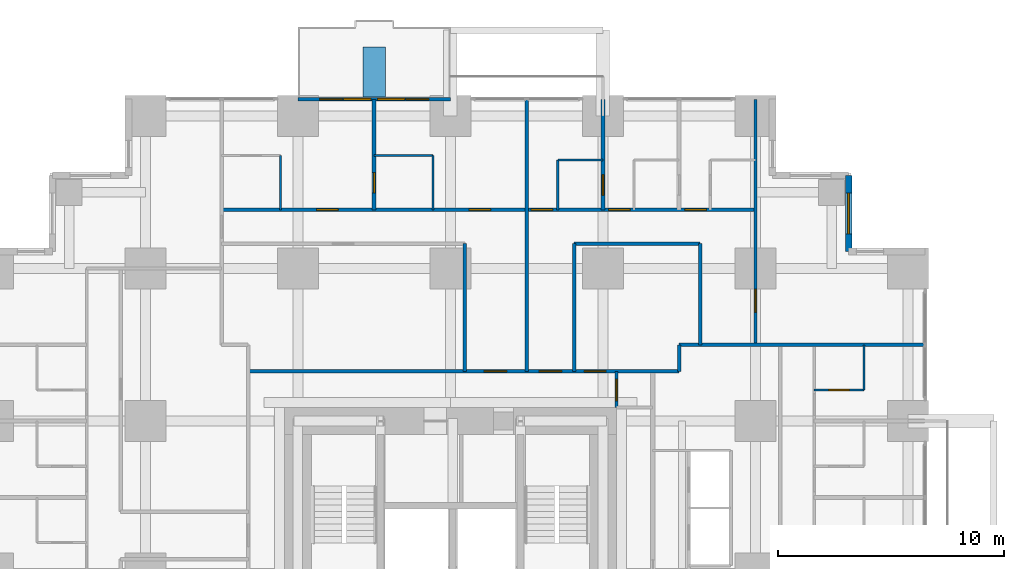
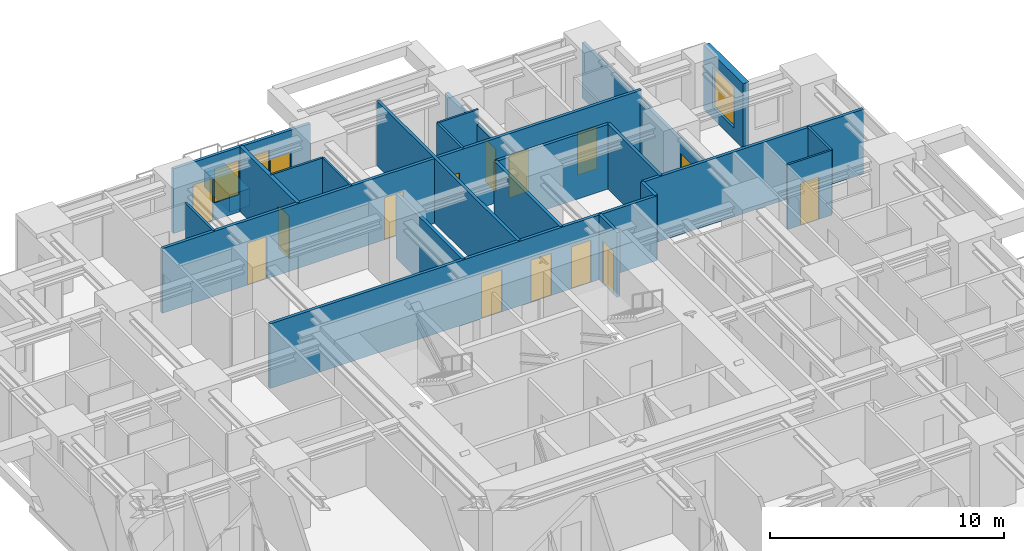
# One storey, part 13 of 15: 23 walls, 15 doors, 3 windows, 18 openings.
"""IFC4 building model written with IfcOpenShell, lengths in metres."""

import ifcopenshell
import ifcopenshell.guid

model = None  # the IFC model being written
_history = None  # IfcOwnerHistory: only IFC2X3 demands one
_inside = {}  # id of a spatial element -> (the spatial element, [elements in it])
_under = {}  # id of a project, library or spatial element -> (it, [spatial elements below it])
_declared = {}  # id of a project -> (the project, [libraries it declares])
_typed = {}  # id of a type object -> (the type object, [elements of that type])
_made_of = {}  # id of a material, layer set ... -> (it, [elements and type objects made of it])


def new_model(schema):
    """Start an empty IFC model of exactly this schema.

    Asked for "IFC4X3", IfcOpenShell would pick the latest addendum, in which some entities
    have other attributes; the version numbers below select the first issue.
    IFC2X3 requires an IfcOwnerHistory on every rooted entity: one is made here for all.
    """
    global model, _history
    if schema == "IFC4X3":
        model = ifcopenshell.file(schema_version=(4, 3, 0, 0))
    else:
        model = ifcopenshell.file(schema=schema)
    _inside.clear()
    _under.clear()
    _declared.clear()
    _typed.clear()
    _made_of.clear()
    _history = None
    if model.schema == "IFC2X3":
        org = make("IfcOrganization", Name="unknown")
        user = make(
            "IfcPersonAndOrganization",
            ThePerson=make("IfcPerson", FamilyName="unknown"),
            TheOrganization=org,
        )
        app = make(
            "IfcApplication",
            ApplicationDeveloper=org,
            Version="unknown",
            ApplicationFullName="unknown",
            ApplicationIdentifier="unknown",
        )
        _history = make(
            "IfcOwnerHistory",
            OwningUser=user,
            OwningApplication=app,
            ChangeAction="ADDED",
            CreationDate=0,
        )
    return model


def make(cls, **values):
    """One entity of the class cls with the attributes given. An attribute that is None is left unset."""
    return model.create_entity(
        cls, **{name: value for name, value in values.items() if value is not None}
    )


def rooted(cls, **values):
    """An entity with a GlobalId (a new one), such as an element, a storey or a relation."""
    return make(cls, GlobalId=ifcopenshell.guid.new(), OwnerHistory=_history, **values)


def si_unit(unit_type, name, prefix=None):
    """IfcSIUnit, for example si_unit("LENGTHUNIT", "METRE", prefix="MILLI")."""
    return make("IfcSIUnit", UnitType=unit_type, Prefix=prefix, Name=name)


def assignment(units):
    """IfcUnitAssignment: the units of a project."""
    return None if units is None else make("IfcUnitAssignment", Units=units)


def point(xyz):
    """IfcCartesianPoint."""
    return None if xyz is None else make("IfcCartesianPoint", Coordinates=xyz)


def direction(xyz):
    """IfcDirection."""
    return None if xyz is None else make("IfcDirection", DirectionRatios=xyz)


def frame(location, z_axis=None, x_axis=None):
    """IfcAxis2Placement3D, a coordinate frame: its origin and axes. An axis left out is left unset."""
    return make(
        "IfcAxis2Placement3D",
        Location=point(location),
        Axis=direction(z_axis),
        RefDirection=direction(x_axis),
    )


def frame_2d(location, x_axis=None):
    """IfcAxis2Placement2D, a coordinate frame in the plane: its origin and x axis."""
    return make(
        "IfcAxis2Placement2D", Location=point(location), RefDirection=direction(x_axis)
    )


def origin():
    """The frame at (0, 0, 0) with its axes left unset."""
    return frame((0.0, 0.0, 0.0))


def place(relative_to, where):
    """IfcLocalPlacement: puts the frame where relative to a parent placement (None: the world)."""
    return make(
        "IfcLocalPlacement", PlacementRelTo=relative_to, RelativePlacement=where
    )


def context(
    kind, dimensions, precision=None, world=None, true_north=None, identifier=None
):
    """IfcGeometricRepresentationContext, for example the 3D "Model" context."""
    return make(
        "IfcGeometricRepresentationContext",
        ContextIdentifier=identifier,
        ContextType=kind,
        CoordinateSpaceDimension=dimensions,
        Precision=precision,
        WorldCoordinateSystem=world,
        TrueNorth=true_north,
    )


def subcontext(parent, identifier, kind, view, scale=None):
    """IfcGeometricRepresentationSubContext, for example "Body" below "Model"."""
    return make(
        "IfcGeometricRepresentationSubContext",
        ContextIdentifier=identifier,
        ContextType=kind,
        ParentContext=parent,
        TargetScale=scale,
        TargetView=view,
    )


def project(units=None, contexts=None):
    """IfcProject with its units and contexts."""
    return rooted(
        "IfcProject",
        Name="project",
        RepresentationContexts=contexts,
        UnitsInContext=assignment(units),
    )


def spatial(cls, under=None, at=None, **own):
    """A site, building, storey or space (cls), placed at a placement, below another one or the project."""
    s = rooted(cls, ObjectPlacement=at, **own)
    if under is not None:
        _under.setdefault(under.id(), (under, []))[1].append(s)
    return s


def profile(cls, at=None, kind="AREA", **sizes):
    """A parametric profile (cls). Its sizes go by their IFC names, for example OverallWidth=200.0."""
    return make(cls, ProfileType=kind, Position=at, **sizes)


def rectangle(**sizes):
    """IfcRectangleProfileDef."""
    return profile("IfcRectangleProfileDef", **sizes)


def extrude(swept, where, along, depth):
    """IfcExtrudedAreaSolid: the profile swept, set in the frame where, extruded along a direction by depth."""
    return make(
        "IfcExtrudedAreaSolid",
        SweptArea=swept,
        Position=where,
        ExtrudedDirection=direction(along),
        Depth=depth,
    )


def shape(context_of_items, identifier, shape_type, items):
    """IfcShapeRepresentation: the items that make up one representation, for example the "Body"."""
    return make(
        "IfcShapeRepresentation",
        ContextOfItems=context_of_items,
        RepresentationIdentifier=identifier,
        RepresentationType=shape_type,
        Items=items,
    )


def material(Name=None, Category=None):
    """IfcMaterial."""
    return make("IfcMaterial", Name=Name, Category=Category)


def layer(
    of_material, thickness, ventilated=None, Name=None, Category=None, Priority=None
):
    """IfcMaterialLayer: one layer of a wall or slab, of a material (None: an air gap)."""
    return make(
        "IfcMaterialLayer",
        Material=of_material,
        LayerThickness=thickness,
        IsVentilated=ventilated,
        Name=Name,
        Category=Category,
        Priority=Priority,
    )


def layer_set(layers, Name=None):
    """IfcMaterialLayerSet."""
    return make("IfcMaterialLayerSet", MaterialLayers=layers, LayerSetName=Name)


def made_of(thing, what):
    """Note that an element or type object is made of a material, layer set ...; save() writes the relation."""
    if what is not None:
        _made_of.setdefault(what.id(), (what, []))[1].append(thing)
    return thing


def type_object(cls, material=None, **own):
    """A type object (cls), such as IfcWallType, which elements share."""
    return made_of(rooted(cls, **own), material)


def element(
    cls,
    number,
    at=None,
    inside=None,
    cuts=None,
    type_object=None,
    material=None,
    context=None,
    identifier="Body",
    shape_type=None,
    held_by="IfcProductDefinitionShape",
    body=None,
    shapes=None,
    **own,
):
    """One element of the class cls, such as IfcWall. Its Tag is "e" and its number.

    at: its placement. inside: the storey or other place that contains it. cuts: it is an
    opening in that element (IfcRelVoidsElement). A single representation is given by context,
    identifier, shape_type and body (its items); several are given by shapes. held_by: the class
    of the entity that holds the representations. save() writes the other relations.
    """
    e = rooted(cls, Tag="e%d" % number, ObjectPlacement=at, **own)
    if body is not None:
        shapes = [shape(context, identifier, shape_type, body)]
    if shapes is not None:
        e.Representation = make(held_by, Representations=shapes)
    if inside is not None:
        _inside.setdefault(inside.id(), (inside, []))[1].append(e)
    if cuts is not None:
        rooted(
            "IfcRelVoidsElement", RelatingBuildingElement=cuts, RelatedOpeningElement=e
        )
    if type_object is not None:
        _typed.setdefault(type_object.id(), (type_object, []))[1].append(e)
    return made_of(e, material)


def fill(opening, filler):
    """IfcRelFillsElement: the door or window that sits in an opening."""
    return rooted(
        "IfcRelFillsElement",
        RelatingOpeningElement=opening,
        RelatedBuildingElement=filler,
    )


def aggregate(whole, parts):
    """IfcRelAggregates: a whole, such as a stair, and the parts it consists of."""
    return rooted("IfcRelAggregates", RelatingObject=whole, RelatedObjects=parts)


def save(model, path):
    """Write the relations noted so far, then the file.

    IfcRelAggregates (storeys below a building ...), IfcRelContainedInSpatialStructure (elements
    in a storey), IfcRelDefinesByType, IfcRelAssociatesMaterial and IfcRelDeclares: one each for
    every whole, place, type object, material and project.
    """
    for whole, parts in _under.values():
        aggregate(whole, parts)
    for where, things in _inside.values():
        rooted(
            "IfcRelContainedInSpatialStructure",
            RelatedElements=things,
            RelatingStructure=where,
        )
    for kind, things in _typed.values():
        rooted("IfcRelDefinesByType", RelatedObjects=things, RelatingType=kind)
    for what, things in _made_of.values():
        rooted("IfcRelAssociatesMaterial", RelatedObjects=things, RelatingMaterial=what)
    for by, libraries in _declared.values():
        rooted("IfcRelDeclares", RelatingContext=by, RelatedDefinitions=libraries)
    model.write(path)


model = new_model("IFC4")

# Units and contexts
model_context = context("Model", 3, precision=1e-05, world=origin(), true_north=direction((0.0, 1.0)))
body_context = subcontext(model_context, "Body", "Model", "MODEL_VIEW")
ifc_project = project(units=[si_unit("LENGTHUNIT", "METRE"), si_unit("AREAUNIT", "SQUARE_METRE"), si_unit("VOLUMEUNIT", "CUBIC_METRE"), si_unit("PLANEANGLEUNIT", "RADIAN"), si_unit("MASSUNIT", "GRAM", prefix="KILO")], contexts=[model_context])

# Site, building, storey
site_placement = place(None, origin())
site = spatial("IfcSite", under=ifc_project, at=site_placement, CompositionType="ELEMENT")
building_placement = place(site_placement, origin())
building = spatial("IfcBuilding", under=site, at=building_placement, Name="Nyansa Garden Tower", CompositionType="ELEMENT")
storey_placement = place(building_placement, frame((0.0, 0.0, 61.199951171875)))
storey = spatial("IfcBuildingStorey", under=building, at=storey_placement, Name="L16", CompositionType="ELEMENT", Elevation=61.199951171875)

# Wall, opening, door
ifc_material_1 = material(Name="Dense blockwork, plastered both sides, 55 dB", Category="masonry")
ifc_layer_1 = layer(ifc_material_1, 0.175048828125)
ifc_layer_set_1 = layer_set([ifc_layer_1], Name="Acoustic party wall PW175")
wall_type_1 = type_object("IfcWallType", Name="Acoustic party wall PW175", PredefinedType="PARTITIONING", material=ifc_layer_set_1)
wall_1_placement = place(storey_placement, frame((16.875, 36.35009765625, 0.0), z_axis=(0.0, 0.0, 1.0), x_axis=(0.0, 1.0, 0.0)))
wall_1 = element("IfcWall", 1, at=wall_1_placement, inside=storey, type_object=wall_type_1, Name="Party wall", PredefinedType="PARTITIONING", context=body_context, shape_type="SweptSolid", body=[
    extrude(rectangle(XDim=4.8837890625, YDim=0.175048828125, at=frame_2d((2.44189453125, 0.0))), origin(), (0.0, 0.0, 1.0), 3.375),
])
opening_1_placement = place(wall_1_placement, frame((0.75, 0.0, 0.0)))
opening_1 = element("IfcOpeningElement", 2, at=opening_1_placement, cuts=wall_1, Name="Opening D02", PredefinedType="OPENING", context=body_context, shape_type="SweptSolid", body=[
    extrude(rectangle(XDim=0.89990234375, YDim=2.199951171875, at=frame_2d((0.449951171875, 1.10009765625))), frame((0.0, 0.097412109375, 0.0), z_axis=(0.0, -1.0, 0.0), x_axis=(1.0, 0.0, 0.0)), (0.0, 0.0, 1.0), 0.195068359375),
])
ifc_material_2 = material(Name="Timber flush door", Category="wood")
door_type_1 = type_object("IfcDoorType", Name="En-suite door D02 900x2200", OperationType="SINGLE_SWING_RIGHT", PredefinedType="DOOR", material=ifc_material_2)
door_1_placement = place(opening_1_placement, origin())
door_1 = element("IfcDoor", 3, at=door_1_placement, inside=storey, type_object=door_type_1, Name="Door L16-064", OperationType="SINGLE_SWING_RIGHT", OverallHeight=2.199951171875, OverallWidth=0.89990234375, PredefinedType="DOOR", context=body_context, shape_type="SweptSolid", body=[
    extrude(rectangle(XDim=0.89990234375, YDim=2.199951171875, at=frame_2d((0.449951171875, 1.10009765625))), frame((0.0, 0.02490234375, 0.0), z_axis=(0.0, -1.0, 0.0), x_axis=(1.0, 0.0, 0.0)), (0.0, 0.0, 1.0), 0.050048828125),
])
fill(opening_1, door_1)

wall_2_placement = place(storey_placement, frame((27.0, 36.35009765625, 0.0), z_axis=(0.0, 0.0, 1.0), x_axis=(0.0, 1.0, 0.0)))
wall_2 = element("IfcWall", 4, at=wall_2_placement, inside=storey, type_object=wall_type_1, Name="Party wall", PredefinedType="PARTITIONING", context=body_context, shape_type="SweptSolid", body=[
    extrude(rectangle(XDim=4.8837890625, YDim=0.175048828125, at=frame_2d((2.44189453125, 0.0))), origin(), (0.0, 0.0, 1.0), 2.610107421875),
])
opening_2_placement = place(wall_2_placement, frame((0.64990234375, 0.0, 0.0)))
opening_2 = element("IfcOpeningElement", 5, at=opening_2_placement, cuts=wall_2, Name="Opening D02", PredefinedType="OPENING", context=body_context, shape_type="SweptSolid", body=[
    extrude(rectangle(XDim=0.89990234375, YDim=2.199951171875, at=frame_2d((0.449951171875, 1.10009765625))), frame((0.0, 0.097412109375, 0.0), z_axis=(0.0, -1.0, 0.0), x_axis=(1.0, 0.0, 0.0)), (0.0, 0.0, 1.0), 0.195068359375),
])
door_2_placement = place(opening_2_placement, origin())
door_2 = element("IfcDoor", 6, at=door_2_placement, inside=storey, type_object=door_type_1, Name="Door L16-059", OperationType="SINGLE_SWING_RIGHT", OverallHeight=2.199951171875, OverallWidth=0.89990234375, PredefinedType="DOOR", context=body_context, shape_type="SweptSolid", body=[
    extrude(rectangle(XDim=0.89990234375, YDim=2.199951171875, at=frame_2d((0.449951171875, 1.10009765625))), frame((0.0, 0.02490234375, 0.0), z_axis=(0.0, -1.0, 0.0), x_axis=(1.0, 0.0, 0.0)), (0.0, 0.0, 1.0), 0.050048828125),
])
fill(opening_2, door_2)

# Wall, openings, doors, windows
ifc_material_3 = material(Name="Black aluminium framed glazed screen", Category="aluminium")
ifc_layer_2 = layer(ifc_material_3, 0.14990234375)
ifc_layer_set_2 = layer_set([ifc_layer_2], Name="Balcony screen wall BW150")
wall_type_2 = type_object("IfcWallType", Name="Balcony screen wall BW150", PredefinedType="SOLIDWALL", material=ifc_layer_set_2)
wall_3_placement = place(storey_placement, frame((13.5, 41.25, 0.0), z_axis=(0.0, 0.0, 1.0), x_axis=(1.0, 0.0, 0.0)))
wall_3 = element("IfcWall", 7, at=wall_3_placement, inside=storey, type_object=wall_type_2, Name="Glazed screen wall L16 N", PredefinedType="SOLIDWALL", context=body_context, shape_type="SweptSolid", body=[
    extrude(rectangle(XDim=6.75, YDim=0.14990234375, at=frame_2d((3.375, 0.0))), origin(), (0.0, 0.0, 1.0), 3.375),
])
opening_3_placement = place(wall_3_placement, frame((0.96240234375, 0.0, 0.0)))
opening_3 = element("IfcOpeningElement", 8, at=opening_3_placement, cuts=wall_3, Name="Opening D20", PredefinedType="OPENING", context=body_context, shape_type="SweptSolid", body=[
    extrude(rectangle(XDim=1.0, YDim=2.199951171875, at=frame_2d((0.5, 1.10009765625))), frame((0.0, 0.0849609375, 0.0), z_axis=(0.0, -1.0, 0.0), x_axis=(1.0, 0.0, 0.0)), (0.0, 0.0, 1.0), 0.169921875),
])
opening_4_placement = place(wall_3_placement, frame((2.02490234375, 0.0, 0.89990234375)))
opening_4 = element("IfcOpeningElement", 9, at=opening_4_placement, cuts=wall_3, Name="Opening W6", PredefinedType="OPENING", context=body_context, shape_type="SweptSolid", body=[
    extrude(rectangle(XDim=1.199951171875, YDim=1.800048828125, at=frame_2d((0.60009765625, 0.89990234375))), frame((0.0, 0.0849609375, 0.0), z_axis=(0.0, -1.0, 0.0), x_axis=(1.0, 0.0, 0.0)), (0.0, 0.0, 1.0), 0.169921875),
])
opening_5_placement = place(wall_3_placement, frame((4.78759765625, 0.0, 0.0)))
opening_5 = element("IfcOpeningElement", 10, at=opening_5_placement, cuts=wall_3, Name="Opening D20", PredefinedType="OPENING", context=body_context, shape_type="SweptSolid", body=[
    extrude(rectangle(XDim=1.0, YDim=2.199951171875, at=frame_2d((0.5, 1.10009765625))), frame((0.0, 0.0849609375, 0.0), z_axis=(0.0, -1.0, 0.0), x_axis=(1.0, 0.0, 0.0)), (0.0, 0.0, 1.0), 0.169921875),
])
opening_6_placement = place(wall_3_placement, frame((3.52490234375, 0.0, 0.89990234375)))
opening_6 = element("IfcOpeningElement", 11, at=opening_6_placement, cuts=wall_3, Name="Opening W6", PredefinedType="OPENING", context=body_context, shape_type="SweptSolid", body=[
    extrude(rectangle(XDim=1.199951171875, YDim=1.800048828125, at=frame_2d((0.60009765625, 0.89990234375))), frame((0.0, 0.0849609375, 0.0), z_axis=(0.0, -1.0, 0.0), x_axis=(1.0, 0.0, 0.0)), (0.0, 0.0, 1.0), 0.169921875),
])
ifc_material_4 = material(Name="Black aluminium framed glazed door", Category="aluminium")
door_type_2 = type_object("IfcDoorType", Name="Balcony door D20 1000x2200", OperationType="NOTDEFINED", PredefinedType="DOOR", material=ifc_material_4)
door_3_placement = place(opening_3_placement, origin())
door_3 = element("IfcDoor", 12, at=door_3_placement, inside=storey, type_object=door_type_2, Name="Balcony door L16", OperationType="SINGLE_SWING_LEFT", OverallHeight=2.199951171875, OverallWidth=1.0, PredefinedType="DOOR", context=body_context, shape_type="SweptSolid", body=[
    extrude(rectangle(XDim=1.0, YDim=2.199951171875, at=frame_2d((0.5, 1.10009765625))), frame((0.0, 0.02490234375, 0.0), z_axis=(0.0, -1.0, 0.0), x_axis=(1.0, 0.0, 0.0)), (0.0, 0.0, 1.0), 0.050048828125),
])
fill(opening_3, door_3)
door_4_placement = place(opening_5_placement, origin())
door_4 = element("IfcDoor", 13, at=door_4_placement, inside=storey, type_object=door_type_2, Name="Balcony door L16", OperationType="SINGLE_SWING_RIGHT", OverallHeight=2.199951171875, OverallWidth=1.0, PredefinedType="DOOR", context=body_context, shape_type="SweptSolid", body=[
    extrude(rectangle(XDim=1.0, YDim=2.199951171875, at=frame_2d((0.5, 1.10009765625))), frame((0.0, 0.02490234375, 0.0), z_axis=(0.0, -1.0, 0.0), x_axis=(1.0, 0.0, 0.0)), (0.0, 0.0, 1.0), 0.050048828125),
])
fill(opening_5, door_4)
ifc_material_5 = material(Name="Black aluminium frame, dark tinted double glazing", Category="aluminium")
window_type_1 = type_object("IfcWindowType", Name="Balcony window W6 1200x1800", PartitioningType="SINGLE_PANEL", PredefinedType="WINDOW", material=ifc_material_5)
window_1_placement = place(opening_4_placement, origin())
window_1 = element("IfcWindow", 14, at=window_1_placement, inside=storey, type_object=window_type_1, Name="Window L16", OverallHeight=1.800048828125, OverallWidth=1.199951171875, PartitioningType="SINGLE_PANEL", PredefinedType="WINDOW", context=body_context, shape_type="SweptSolid", body=[
    extrude(rectangle(XDim=1.199951171875, YDim=1.800048828125, at=frame_2d((0.60009765625, 0.89990234375))), frame((0.0, 0.030029296875, 0.0), z_axis=(0.0, -1.0, 0.0), x_axis=(1.0, 0.0, 0.0)), (0.0, 0.0, 1.0), 0.06005859375),
])
fill(opening_4, window_1)
window_2_placement = place(opening_6_placement, origin())
window_2 = element("IfcWindow", 15, at=window_2_placement, inside=storey, type_object=window_type_1, Name="Window L16", OverallHeight=1.800048828125, OverallWidth=1.199951171875, PartitioningType="SINGLE_PANEL", PredefinedType="WINDOW", context=body_context, shape_type="SweptSolid", body=[
    extrude(rectangle(XDim=1.199951171875, YDim=1.800048828125, at=frame_2d((0.60009765625, 0.89990234375))), frame((0.0, 0.030029296875, 0.0), z_axis=(0.0, -1.0, 0.0), x_axis=(1.0, 0.0, 0.0)), (0.0, 0.0, 1.0), 0.06005859375),
])
fill(opening_6, window_2)

# Wall, openings, doors
ifc_material_6 = material(Name="Blockwork, plastered both sides", Category="masonry")
ifc_layer_3 = layer(ifc_material_6, 0.14990234375)
ifc_layer_set_3 = layer_set([ifc_layer_3], Name="Partition PW150")
wall_type_3 = type_object("IfcWallType", Name="Partition PW150", PredefinedType="PARTITIONING", material=ifc_layer_set_3)
wall_4_placement = place(storey_placement, frame((10.125, 36.35009765625, 0.0), z_axis=(0.0, 0.0, 1.0), x_axis=(1.0, 0.0, 0.0)))
wall_4 = element("IfcWall", 16, at=wall_4_placement, inside=storey, type_object=wall_type_3, Name="Partition", PredefinedType="PARTITIONING", context=body_context, shape_type="SweptSolid", body=[
    extrude(rectangle(XDim=23.625, YDim=0.14990234375, at=frame_2d((11.8125, 0.0))), origin(), (0.0, 0.0, 1.0), 3.375),
])
opening_7_placement = place(wall_4_placement, frame((20.5, 0.0, 0.0)))
opening_7 = element("IfcOpeningElement", 17, at=opening_7_placement, cuts=wall_4, Name="Opening D01", PredefinedType="OPENING", context=body_context, shape_type="SweptSolid", body=[
    extrude(rectangle(XDim=0.949951171875, YDim=2.199951171875, at=frame_2d((0.47509765625, 1.10009765625))), frame((0.0, 0.0849609375, 0.0), z_axis=(0.0, -1.0, 0.0), x_axis=(1.0, 0.0, 0.0)), (0.0, 0.0, 1.0), 0.169921875),
])
opening_8_placement = place(wall_4_placement, frame((17.125, 0.0, 0.0)))
opening_8 = element("IfcOpeningElement", 18, at=opening_8_placement, cuts=wall_4, Name="Opening D01", PredefinedType="OPENING", context=body_context, shape_type="SweptSolid", body=[
    extrude(rectangle(XDim=0.949951171875, YDim=2.199951171875, at=frame_2d((0.47509765625, 1.10009765625))), frame((0.0, 0.0849609375, 0.0), z_axis=(0.0, -1.0, 0.0), x_axis=(1.0, 0.0, 0.0)), (0.0, 0.0, 1.0), 0.169921875),
])
opening_9_placement = place(wall_4_placement, frame((13.699951171875, 0.0, 0.0)))
opening_9 = element("IfcOpeningElement", 19, at=opening_9_placement, cuts=wall_4, Name="Opening D01", PredefinedType="OPENING", context=body_context, shape_type="SweptSolid", body=[
    extrude(rectangle(XDim=0.949951171875, YDim=2.199951171875, at=frame_2d((0.47509765625, 1.10009765625))), frame((0.0, 0.0849609375, 0.0), z_axis=(0.0, -1.0, 0.0), x_axis=(1.0, 0.0, 0.0)), (0.0, 0.0, 1.0), 0.169921875),
])
opening_10_placement = place(wall_4_placement, frame((4.199951171875, 0.0, 0.0)))
opening_10 = element("IfcOpeningElement", 20, at=opening_10_placement, cuts=wall_4, Name="Opening D14", PredefinedType="OPENING", context=body_context, shape_type="SweptSolid", body=[
    extrude(rectangle(XDim=0.949951171875, YDim=2.199951171875, at=frame_2d((0.47509765625, 1.10009765625))), frame((0.0, 0.0849609375, 0.0), z_axis=(0.0, -1.0, 0.0), x_axis=(1.0, 0.0, 0.0)), (0.0, 0.0, 1.0), 0.169921875),
])
opening_11_placement = place(wall_4_placement, frame((10.949951171875, 0.0, 0.0)))
opening_11 = element("IfcOpeningElement", 21, at=opening_11_placement, cuts=wall_4, Name="Opening D14", PredefinedType="OPENING", context=body_context, shape_type="SweptSolid", body=[
    extrude(rectangle(XDim=0.949951171875, YDim=2.199951171875, at=frame_2d((0.47509765625, 1.10009765625))), frame((0.0, 0.0849609375, 0.0), z_axis=(0.0, -1.0, 0.0), x_axis=(1.0, 0.0, 0.0)), (0.0, 0.0, 1.0), 0.169921875),
])
ifc_material_7 = material(Name="Timber flush door, 30 minute fire resisting", Category="wood")
door_type_3 = type_object("IfcDoorType", Name="Bedroom door D01 950x2200", OperationType="SINGLE_SWING_LEFT", PredefinedType="DOOR", material=ifc_material_7)
door_5_placement = place(opening_7_placement, origin())
door_5 = element("IfcDoor", 22, at=door_5_placement, inside=storey, type_object=door_type_3, Name="Door L16-054", OperationType="SINGLE_SWING_LEFT", OverallHeight=2.199951171875, OverallWidth=0.949951171875, PredefinedType="DOOR", context=body_context, shape_type="SweptSolid", body=[
    extrude(rectangle(XDim=0.949951171875, YDim=2.199951171875, at=frame_2d((0.47509765625, 1.10009765625))), frame((0.0, 0.02490234375, 0.0), z_axis=(0.0, -1.0, 0.0), x_axis=(1.0, 0.0, 0.0)), (0.0, 0.0, 1.0), 0.050048828125),
])
fill(opening_7, door_5)
door_6_placement = place(opening_8_placement, origin())
door_6 = element("IfcDoor", 23, at=door_6_placement, inside=storey, type_object=door_type_3, Name="Door L16-056", OperationType="SINGLE_SWING_LEFT", OverallHeight=2.199951171875, OverallWidth=0.949951171875, PredefinedType="DOOR", context=body_context, shape_type="SweptSolid", body=[
    extrude(rectangle(XDim=0.949951171875, YDim=2.199951171875, at=frame_2d((0.47509765625, 1.10009765625))), frame((0.0, 0.02490234375, 0.0), z_axis=(0.0, -1.0, 0.0), x_axis=(1.0, 0.0, 0.0)), (0.0, 0.0, 1.0), 0.050048828125),
])
fill(opening_8, door_6)
door_7_placement = place(opening_9_placement, origin())
door_7 = element("IfcDoor", 24, at=door_7_placement, inside=storey, type_object=door_type_3, Name="Door L16-058", OperationType="SINGLE_SWING_LEFT", OverallHeight=2.199951171875, OverallWidth=0.949951171875, PredefinedType="DOOR", context=body_context, shape_type="SweptSolid", body=[
    extrude(rectangle(XDim=0.949951171875, YDim=2.199951171875, at=frame_2d((0.47509765625, 1.10009765625))), frame((0.0, 0.02490234375, 0.0), z_axis=(0.0, -1.0, 0.0), x_axis=(1.0, 0.0, 0.0)), (0.0, 0.0, 1.0), 0.050048828125),
])
fill(opening_9, door_7)
ifc_material_8 = material(Name="Timber flush door, 60 minute fire resisting, self-closing", Category="wood")
door_type_4 = type_object("IfcDoorType", Name="Studio entrance door D14 950x2200", OperationType="SINGLE_SWING_LEFT", PredefinedType="DOOR", material=ifc_material_8)
door_8_placement = place(opening_10_placement, origin())
door_8 = element("IfcDoor", 25, at=door_8_placement, inside=storey, type_object=door_type_4, Name="Door L16-061", OperationType="SINGLE_SWING_LEFT", OverallHeight=2.199951171875, OverallWidth=0.949951171875, PredefinedType="DOOR", context=body_context, shape_type="SweptSolid", body=[
    extrude(rectangle(XDim=0.949951171875, YDim=2.199951171875, at=frame_2d((0.47509765625, 1.10009765625))), frame((0.0, 0.02490234375, 0.0), z_axis=(0.0, -1.0, 0.0), x_axis=(1.0, 0.0, 0.0)), (0.0, 0.0, 1.0), 0.050048828125),
])
fill(opening_10, door_8)
door_9_placement = place(opening_11_placement, origin())
door_9 = element("IfcDoor", 26, at=door_9_placement, inside=storey, type_object=door_type_4, Name="Door L16-063", OperationType="SINGLE_SWING_LEFT", OverallHeight=2.199951171875, OverallWidth=0.949951171875, PredefinedType="DOOR", context=body_context, shape_type="SweptSolid", body=[
    extrude(rectangle(XDim=0.949951171875, YDim=2.199951171875, at=frame_2d((0.47509765625, 1.10009765625))), frame((0.0, 0.02490234375, 0.0), z_axis=(0.0, -1.0, 0.0), x_axis=(1.0, 0.0, 0.0)), (0.0, 0.0, 1.0), 0.050048828125),
])
fill(opening_11, door_9)

wall_5_placement = place(storey_placement, frame((11.300048828125, 29.199951171875, 0.0), z_axis=(0.0, 0.0, 1.0), x_axis=(1.0, 0.0, 0.0)))
wall_5 = element("IfcWall", 27, at=wall_5_placement, inside=storey, type_object=wall_type_3, Name="Partition", PredefinedType="PARTITIONING", context=body_context, shape_type="SweptSolid", body=[
    extrude(rectangle(XDim=19.074951171875, YDim=0.14990234375, at=frame_2d((9.53759765625, 0.0))), origin(), (0.0, 0.0, 1.0), 3.375),
])
opening_12_placement = place(wall_5_placement, frame((12.875, 0.0, 0.0)))
opening_12 = element("IfcOpeningElement", 28, at=opening_12_placement, cuts=wall_5, Name="Opening D03", PredefinedType="OPENING", context=body_context, shape_type="SweptSolid", body=[
    extrude(rectangle(XDim=1.0, YDim=2.199951171875, at=frame_2d((0.5, 1.10009765625))), frame((0.0, 0.0849609375, 0.0), z_axis=(0.0, -1.0, 0.0), x_axis=(1.0, 0.0, 0.0)), (0.0, 0.0, 1.0), 0.169921875),
])
opening_13_placement = place(wall_5_placement, frame((10.4375, 0.0, 0.0)))
opening_13 = element("IfcOpeningElement", 29, at=opening_13_placement, cuts=wall_5, Name="Opening D03", PredefinedType="OPENING", context=body_context, shape_type="SweptSolid", body=[
    extrude(rectangle(XDim=1.0, YDim=2.199951171875, at=frame_2d((0.5, 1.10009765625))), frame((0.0, 0.0849609375, 0.0), z_axis=(0.0, -1.0, 0.0), x_axis=(1.0, 0.0, 0.0)), (0.0, 0.0, 1.0), 0.169921875),
])
opening_14_placement = place(wall_5_placement, frame((14.875, 0.0, 0.0)))
opening_14 = element("IfcOpeningElement", 30, at=opening_14_placement, cuts=wall_5, Name="Opening D01", PredefinedType="OPENING", context=body_context, shape_type="SweptSolid", body=[
    extrude(rectangle(XDim=0.949951171875, YDim=2.199951171875, at=frame_2d((0.47509765625, 1.10009765625))), frame((0.0, 0.0849609375, 0.0), z_axis=(0.0, -1.0, 0.0), x_axis=(1.0, 0.0, 0.0)), (0.0, 0.0, 1.0), 0.169921875),
])
door_10_placement = place(opening_14_placement, origin())
door_10 = element("IfcDoor", 31, at=door_10_placement, inside=storey, type_object=door_type_3, Name="Door L16-066", OperationType="SINGLE_SWING_LEFT", OverallHeight=2.199951171875, OverallWidth=0.949951171875, PredefinedType="DOOR", context=body_context, shape_type="SweptSolid", body=[
    extrude(rectangle(XDim=0.949951171875, YDim=2.199951171875, at=frame_2d((0.47509765625, 1.10009765625))), frame((0.0, 0.02490234375, 0.0), z_axis=(0.0, -1.0, 0.0), x_axis=(1.0, 0.0, 0.0)), (0.0, 0.0, 1.0), 0.050048828125),
])
fill(opening_14, door_10)
ifc_material_9 = material(Name="Timber flush door, 60 minute fire resisting", Category="wood")
door_type_5 = type_object("IfcDoorType", Name="Cluster entrance door D03 1000x2200", OperationType="SINGLE_SWING_LEFT", PredefinedType="DOOR", material=ifc_material_9)
door_11_placement = place(opening_12_placement, origin())
door_11 = element("IfcDoor", 32, at=door_11_placement, inside=storey, type_object=door_type_5, Name="Door L16-060", OperationType="SINGLE_SWING_LEFT", OverallHeight=2.199951171875, OverallWidth=1.0, PredefinedType="DOOR", context=body_context, shape_type="SweptSolid", body=[
    extrude(rectangle(XDim=1.0, YDim=2.199951171875, at=frame_2d((0.5, 1.10009765625))), frame((0.0, 0.02490234375, 0.0), z_axis=(0.0, -1.0, 0.0), x_axis=(1.0, 0.0, 0.0)), (0.0, 0.0, 1.0), 0.050048828125),
])
fill(opening_12, door_11)
door_12_placement = place(opening_13_placement, origin())
door_12 = element("IfcDoor", 33, at=door_12_placement, inside=storey, type_object=door_type_5, Name="Door L16-065", OperationType="SINGLE_SWING_LEFT", OverallHeight=2.199951171875, OverallWidth=1.0, PredefinedType="DOOR", context=body_context, shape_type="SweptSolid", body=[
    extrude(rectangle(XDim=1.0, YDim=2.199951171875, at=frame_2d((0.5, 1.10009765625))), frame((0.0, 0.02490234375, 0.0), z_axis=(0.0, -1.0, 0.0), x_axis=(1.0, 0.0, 0.0)), (0.0, 0.0, 1.0), 0.050048828125),
])
fill(opening_13, door_12)

# Walls
wall_6_placement = place(storey_placement, frame((20.886962890625, 29.199951171875, 0.0), z_axis=(0.0, 0.0, 1.0), x_axis=(0.0, 1.0, 0.0)))
element("IfcWall", 34, at=wall_6_placement, inside=storey, type_object=wall_type_3, Name="Partition", PredefinedType="PARTITIONING", context=body_context, shape_type="SweptSolid", body=[
    extrude(rectangle(XDim=5.650146484375, YDim=0.14990234375, at=frame_2d((2.8251953125, 0.0))), origin(), (0.0, 0.0, 1.0), 3.375),
])
wall_7_placement = place(storey_placement, frame((23.625, 29.199951171875, 0.0), z_axis=(0.0, 0.0, 1.0), x_axis=(0.0, 1.0, 0.0)))
element("IfcWall", 35, at=wall_7_placement, inside=storey, type_object=wall_type_3, Name="Partition", PredefinedType="PARTITIONING", context=body_context, shape_type="SweptSolid", body=[
    extrude(rectangle(XDim=12.033935546875, YDim=0.14990234375, at=frame_2d((6.01708984375, 0.0))), origin(), (0.0, 0.0, 1.0), 3.375),
])
wall_8_placement = place(storey_placement, frame((25.72509765625, 29.199951171875, 0.0), z_axis=(0.0, 0.0, 1.0), x_axis=(0.0, 1.0, 0.0)))
element("IfcWall", 36, at=wall_8_placement, inside=storey, type_object=wall_type_3, Name="Partition", PredefinedType="PARTITIONING", context=body_context, shape_type="SweptSolid", body=[
    extrude(rectangle(XDim=5.650146484375, YDim=0.14990234375, at=frame_2d((2.8251953125, 0.0))), origin(), (0.0, 0.0, 1.0), 3.375),
])
wall_9_placement = place(storey_placement, frame((25.72509765625, 34.85009765625, 0.0), z_axis=(0.0, 0.0, 1.0), x_axis=(1.0, 0.0, 0.0)))
element("IfcWall", 37, at=wall_9_placement, inside=storey, type_object=wall_type_3, Name="Partition", PredefinedType="PARTITIONING", context=body_context, shape_type="SweptSolid", body=[
    extrude(rectangle(XDim=5.574951171875, YDim=0.14990234375, at=frame_2d((2.78759765625, 0.0))), origin(), (0.0, 0.0, 1.0), 3.375),
])

# Wall, opening, door
wall_10_placement = place(storey_placement, frame((27.60009765625, 27.60009765625, 0.0), z_axis=(0.0, 0.0, 1.0), x_axis=(0.0, 1.0, 0.0)))
wall_10 = element("IfcWall", 38, at=wall_10_placement, inside=storey, type_object=wall_type_3, Name="Partition", PredefinedType="PARTITIONING", context=body_context, shape_type="SweptSolid", body=[
    extrude(rectangle(XDim=1.599853515625, YDim=0.14990234375, at=frame_2d((0.7998046875, 0.0))), origin(), (0.0, 0.0, 1.0), 3.375),
])
opening_15_placement = place(wall_10_placement, frame((0.300048828125, 0.0, 0.0)))
opening_15 = element("IfcOpeningElement", 39, at=opening_15_placement, cuts=wall_10, Name="Opening D01", PredefinedType="OPENING", context=body_context, shape_type="SweptSolid", body=[
    extrude(rectangle(XDim=0.949951171875, YDim=2.199951171875, at=frame_2d((0.47509765625, 1.10009765625))), frame((0.0, 0.0849609375, 0.0), z_axis=(0.0, -1.0, 0.0), x_axis=(1.0, 0.0, 0.0)), (0.0, 0.0, 1.0), 0.169921875),
])
door_13_placement = place(opening_15_placement, origin())
door_13 = element("IfcDoor", 40, at=door_13_placement, inside=storey, type_object=door_type_3, Name="Door L16-016", OperationType="SINGLE_SWING_LEFT", OverallHeight=2.199951171875, OverallWidth=0.949951171875, PredefinedType="DOOR", context=body_context, shape_type="SweptSolid", body=[
    extrude(rectangle(XDim=0.949951171875, YDim=2.199951171875, at=frame_2d((0.47509765625, 1.10009765625))), frame((0.0, 0.02490234375, 0.0), z_axis=(0.0, -1.0, 0.0), x_axis=(1.0, 0.0, 0.0)), (0.0, 0.0, 1.0), 0.050048828125),
])
fill(opening_15, door_13)

# Walls
wall_11_placement = place(storey_placement, frame((30.375, 29.199951171875, 0.0), z_axis=(0.0, 0.0, 1.0), x_axis=(0.0, 1.0, 0.0)))
element("IfcWall", 41, at=wall_11_placement, inside=storey, type_object=wall_type_3, Name="Partition", PredefinedType="PARTITIONING", context=body_context, shape_type="SweptSolid", body=[
    extrude(rectangle(XDim=1.175048828125, YDim=0.14990234375, at=frame_2d((0.58740234375, 0.0))), origin(), (0.0, 0.0, 1.0), 3.375),
])
wall_12_placement = place(storey_placement, frame((30.375, 30.375, 0.0), z_axis=(0.0, 0.0, 1.0), x_axis=(1.0, 0.0, 0.0)))
element("IfcWall", 42, at=wall_12_placement, inside=storey, type_object=wall_type_3, Name="Partition", PredefinedType="PARTITIONING", context=body_context, shape_type="SweptSolid", body=[
    extrude(rectangle(XDim=10.85888671875, YDim=0.14990234375, at=frame_2d((5.429443359375, 0.0))), origin(), (0.0, 0.0, 1.0), 3.375),
])
wall_13_placement = place(storey_placement, frame((31.300048828125, 30.375, 0.0), z_axis=(0.0, 0.0, 1.0), x_axis=(0.0, 1.0, 0.0)))
element("IfcWall", 43, at=wall_13_placement, inside=storey, type_object=wall_type_3, Name="Partition", PredefinedType="PARTITIONING", context=body_context, shape_type="SweptSolid", body=[
    extrude(rectangle(XDim=4.47509765625, YDim=0.14990234375, at=frame_2d((2.237548828125, 0.0))), origin(), (0.0, 0.0, 1.0), 3.375),
])

# Wall, opening, door
wall_14_placement = place(storey_placement, frame((33.75, 30.375, 0.0), z_axis=(0.0, 0.0, 1.0), x_axis=(0.0, 1.0, 0.0)))
wall_14 = element("IfcWall", 44, at=wall_14_placement, inside=storey, type_object=wall_type_3, Name="Partition", PredefinedType="PARTITIONING", context=body_context, shape_type="SweptSolid", body=[
    extrude(rectangle(XDim=10.85888671875, YDim=0.14990234375, at=frame_2d((5.429443359375, 0.0))), origin(), (0.0, 0.0, 1.0), 2.876953125),
])
opening_16_placement = place(wall_14_placement, frame((1.449951171875, 0.0, 0.0)))
opening_16 = element("IfcOpeningElement", 45, at=opening_16_placement, cuts=wall_14, Name="Opening D03", PredefinedType="OPENING", context=body_context, shape_type="SweptSolid", body=[
    extrude(rectangle(XDim=1.0, YDim=2.199951171875, at=frame_2d((0.5, 1.10009765625))), frame((0.0, 0.0849609375, 0.0), z_axis=(0.0, -1.0, 0.0), x_axis=(1.0, 0.0, 0.0)), (0.0, 0.0, 1.0), 0.169921875),
])
door_14_placement = place(opening_16_placement, origin())
door_14 = element("IfcDoor", 46, at=door_14_placement, inside=storey, type_object=door_type_5, Name="Door L16-053", OperationType="SINGLE_SWING_LEFT", OverallHeight=2.199951171875, OverallWidth=1.0, PredefinedType="DOOR", context=body_context, shape_type="SweptSolid", body=[
    extrude(rectangle(XDim=1.0, YDim=2.199951171875, at=frame_2d((0.5, 1.10009765625))), frame((0.0, 0.02490234375, 0.0), z_axis=(0.0, -1.0, 0.0), x_axis=(1.0, 0.0, 0.0)), (0.0, 0.0, 1.0), 0.050048828125),
])
fill(opening_16, door_14)

# Wall, opening, window
ifc_material_10 = material(Name="Turquoise glazed tile on concrete blockwork", Category="masonry")
ifc_layer_4 = layer(ifc_material_10, 0.300048828125)
ifc_layer_set_4 = layer_set([ifc_layer_4], Name="Tiled corner wall TW300")
wall_type_4 = type_object("IfcWallType", Name="Tiled corner wall TW300", PredefinedType="SOLIDWALL", material=ifc_layer_set_4)
wall_15_placement = place(storey_placement, frame((37.875, 34.5, 0.0), z_axis=(0.0, 0.0, 1.0), x_axis=(0.0, 1.0, 0.0)))
wall_15 = element("IfcWall", 47, at=wall_15_placement, inside=storey, type_object=wall_type_4, Name="Tiled corner wall L16", PredefinedType="SOLIDWALL", context=body_context, shape_type="SweptSolid", body=[
    extrude(rectangle(XDim=3.375, YDim=0.300048828125, at=frame_2d((1.6875, 0.0))), origin(), (0.0, 0.0, 1.0), 3.375),
])
opening_17_placement = place(wall_15_placement, frame((0.78759765625, 0.0, 0.60009765625)))
opening_17 = element("IfcOpeningElement", 48, at=opening_17_placement, cuts=wall_15, Name="Opening W2", PredefinedType="OPENING", context=body_context, shape_type="SweptSolid", body=[
    extrude(rectangle(XDim=1.800048828125, YDim=2.10009765625, at=frame_2d((0.89990234375, 1.050048828125))), frame((0.0, 0.159912109375, 0.0), z_axis=(0.0, -1.0, 0.0), x_axis=(1.0, 0.0, 0.0)), (0.0, 0.0, 1.0), 0.320068359375),
])
ifc_material_11 = material(Name="Black aluminium frame, dark tinted double glazing", Category="aluminium")
window_type_2 = type_object("IfcWindowType", Name="Window W2 1800x2100", PartitioningType="SINGLE_PANEL", PredefinedType="WINDOW", material=ifc_material_11)
window_3_placement = place(opening_17_placement, origin())
window_3 = element("IfcWindow", 49, at=window_3_placement, inside=storey, type_object=window_type_2, Name="Corner window L16", OverallHeight=2.10009765625, OverallWidth=1.800048828125, PartitioningType="SINGLE_PANEL", PredefinedType="WINDOW", context=body_context, shape_type="SweptSolid", body=[
    extrude(rectangle(XDim=1.800048828125, YDim=2.10009765625, at=frame_2d((0.89990234375, 1.050048828125))), frame((0.0, 0.030029296875, 0.0), z_axis=(0.0, -1.0, 0.0), x_axis=(1.0, 0.0, 0.0)), (0.0, 0.0, 1.0), 0.06005859375),
])
fill(opening_17, window_3)

# Walls
ifc_material_12 = material(Name="Concrete C40/50 planter, waterproofed", Category="concrete")
ifc_layer_5 = layer(ifc_material_12, 1.0)
ifc_layer_set_5 = layer_set([ifc_layer_5], Name="Tree planter TP1")
wall_type_5 = type_object("IfcWallType", Name="Tree planter TP1", PredefinedType="USERDEFINED", material=ifc_layer_set_5)
wall_16_placement = place(storey_placement, frame((16.875, 41.35009765625, 0.0), z_axis=(0.0, 0.0, 1.0), x_axis=(0.0, 1.0, 0.0)))
element("IfcWall", 50, at=wall_16_placement, inside=storey, type_object=wall_type_5, Name="Tree planter L16", ObjectType="TREE PLANTER", PredefinedType="USERDEFINED", context=body_context, shape_type="SweptSolid", body=[
    extrude(rectangle(XDim=2.199951171875, YDim=1.0, at=frame_2d((1.10009765625, 0.0))), origin(), (0.0, 0.0, 1.0), 0.900146484375),
])
ifc_material_13 = material(Name="Moisture resistant board on steel studs, tiled", Category="steel")
ifc_layer_6 = layer(ifc_material_13, 0.10009765625)
ifc_layer_set_6 = layer_set([ifc_layer_6], Name="Wet wall PW100")
wall_type_6 = type_object("IfcWallType", Name="Wet wall PW100", PredefinedType="PARTITIONING", material=ifc_layer_set_6)
wall_17_placement = place(storey_placement, frame((12.72509765625, 36.35009765625, 0.0), z_axis=(0.0, 0.0, 1.0), x_axis=(0.0, 1.0, 0.0)))
element("IfcWall", 51, at=wall_17_placement, inside=storey, type_object=wall_type_6, Name="Wet wall", PredefinedType="PARTITIONING", context=body_context, shape_type="SweptSolid", body=[
    extrude(rectangle(XDim=2.39990234375, YDim=0.10009765625, at=frame_2d((1.199951171875, 0.0))), origin(), (0.0, 0.0, 1.0), 3.375),
])
wall_18_placement = place(storey_placement, frame((16.875, 38.75, 0.0), z_axis=(0.0, 0.0, 1.0), x_axis=(1.0, 0.0, 0.0)))
element("IfcWall", 52, at=wall_18_placement, inside=storey, type_object=wall_type_6, Name="Wet wall", PredefinedType="PARTITIONING", context=body_context, shape_type="SweptSolid", body=[
    extrude(rectangle(XDim=2.60009765625, YDim=0.10009765625, at=frame_2d((1.300048828125, 0.0))), origin(), (0.0, 0.0, 1.0), 3.375),
])
wall_19_placement = place(storey_placement, frame((19.47509765625, 36.35009765625, 0.0), z_axis=(0.0, 0.0, 1.0), x_axis=(0.0, 1.0, 0.0)))
element("IfcWall", 53, at=wall_19_placement, inside=storey, type_object=wall_type_6, Name="Wet wall", PredefinedType="PARTITIONING", context=body_context, shape_type="SweptSolid", body=[
    extrude(rectangle(XDim=2.39990234375, YDim=0.10009765625, at=frame_2d((1.199951171875, 0.0))), origin(), (0.0, 0.0, 1.0), 3.375),
])
wall_20_placement = place(storey_placement, frame((25.0, 36.35009765625, 0.0), z_axis=(0.0, 0.0, 1.0), x_axis=(0.0, 1.0, 0.0)))
element("IfcWall", 54, at=wall_20_placement, inside=storey, type_object=wall_type_6, Name="Wet wall", PredefinedType="PARTITIONING", context=body_context, shape_type="SweptSolid", body=[
    extrude(rectangle(XDim=2.199951171875, YDim=0.10009765625, at=frame_2d((1.10009765625, 0.0))), origin(), (0.0, 0.0, 1.0), 3.375),
])
wall_21_placement = place(storey_placement, frame((25.0, 38.550048828125, 0.0), z_axis=(0.0, 0.0, 1.0), x_axis=(1.0, 0.0, 0.0)))
element("IfcWall", 55, at=wall_21_placement, inside=storey, type_object=wall_type_6, Name="Wet wall", PredefinedType="PARTITIONING", context=body_context, shape_type="SweptSolid", body=[
    extrude(rectangle(XDim=2.0, YDim=0.10009765625, at=frame_2d((1.0, 0.0))), origin(), (0.0, 0.0, 1.0), 3.375),
])

# Wall, opening, door
wall_22_placement = place(storey_placement, frame((36.35009765625, 28.375, 0.0), z_axis=(0.0, 0.0, 1.0), x_axis=(1.0, 0.0, 0.0)))
wall_22 = element("IfcWall", 56, at=wall_22_placement, inside=storey, type_object=wall_type_6, Name="Wet wall", PredefinedType="PARTITIONING", context=body_context, shape_type="SweptSolid", body=[
    extrude(rectangle(XDim=2.199951171875, YDim=0.10009765625, at=frame_2d((1.10009765625, 0.0))), origin(), (0.0, 0.0, 1.0), 3.375),
])
opening_18_placement = place(wall_22_placement, frame((0.64990234375, 0.0, 0.0)))
opening_18 = element("IfcOpeningElement", 57, at=opening_18_placement, cuts=wall_22, Name="Opening D02", PredefinedType="OPENING", context=body_context, shape_type="SweptSolid", body=[
    extrude(rectangle(XDim=0.89990234375, YDim=2.199951171875, at=frame_2d((0.449951171875, 1.10009765625))), frame((0.0, 0.06005859375, 0.0), z_axis=(0.0, -1.0, 0.0), x_axis=(1.0, 0.0, 0.0)), (0.0, 0.0, 1.0), 0.1201171875),
])
door_15_placement = place(opening_18_placement, origin())
door_15 = element("IfcDoor", 58, at=door_15_placement, inside=storey, type_object=door_type_1, Name="Door L16-049", OperationType="SINGLE_SWING_RIGHT", OverallHeight=2.199951171875, OverallWidth=0.89990234375, PredefinedType="DOOR", context=body_context, shape_type="SweptSolid", body=[
    extrude(rectangle(XDim=0.89990234375, YDim=2.199951171875, at=frame_2d((0.449951171875, 1.10009765625))), frame((0.0, 0.02490234375, 0.0), z_axis=(0.0, -1.0, 0.0), x_axis=(1.0, 0.0, 0.0)), (0.0, 0.0, 1.0), 0.050048828125),
])
fill(opening_18, door_15)

# Wall
wall_23_placement = place(storey_placement, frame((38.550048828125, 28.375, 0.0), z_axis=(0.0, 0.0, 1.0), x_axis=(0.0, 1.0, 0.0)))
element("IfcWall", 59, at=wall_23_placement, inside=storey, type_object=wall_type_6, Name="Wet wall", PredefinedType="PARTITIONING", context=body_context, shape_type="SweptSolid", body=[
    extrude(rectangle(XDim=2.0, YDim=0.10009765625, at=frame_2d((1.0, 0.0))), origin(), (0.0, 0.0, 1.0), 3.375),
])

save(model, "model.ifc")
